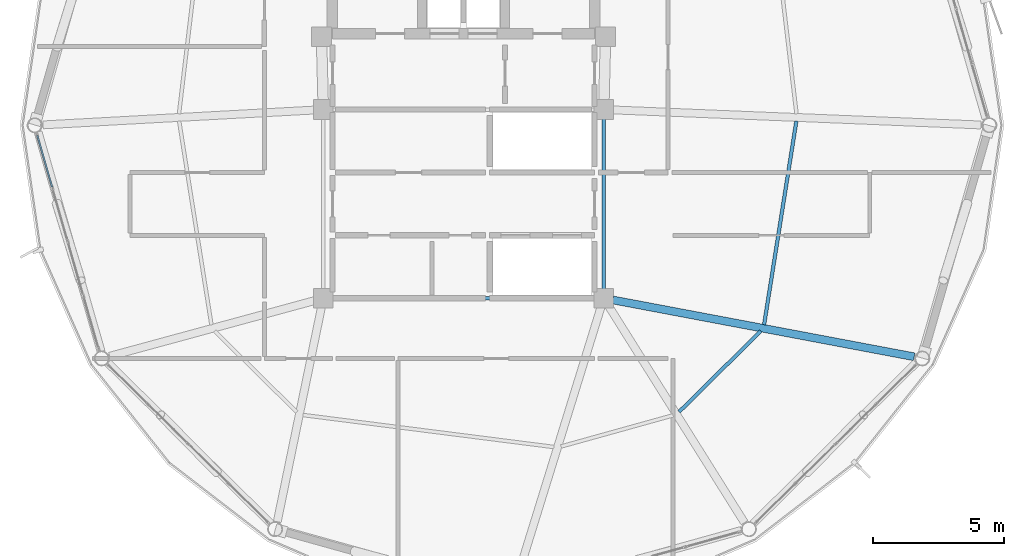
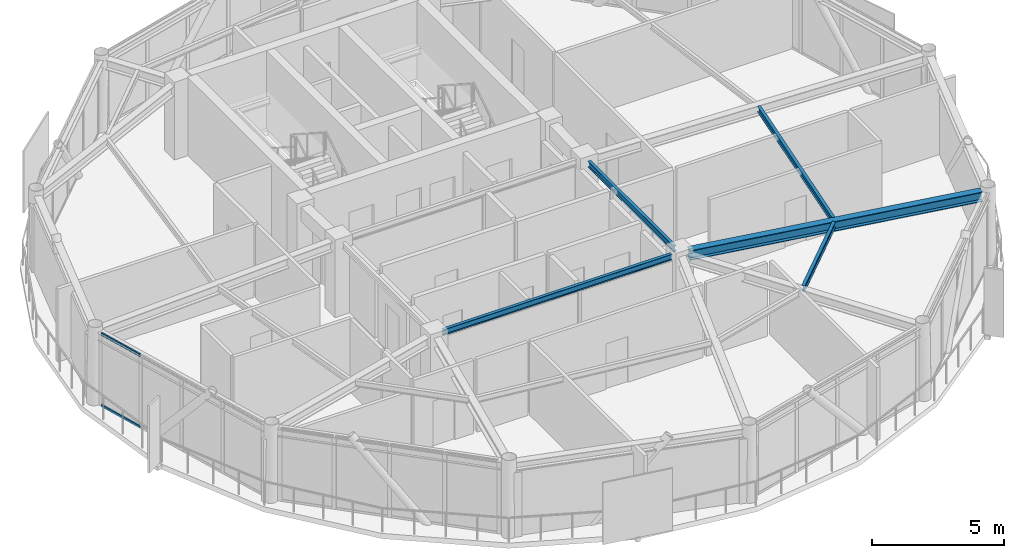
# One storey, part 10 of 27: 5 beams, 2 members, 1 element without a shape of its own.
"""IFC4 building model written with IfcOpenShell, lengths in metres."""

from ifc_helpers import new_model, si_unit, direction, frame, origin, origin_2d, place, context, subcontext, project, spatial, hollow_rectangle, i_section, extrude, material, layer, layer_set, material_profile, profile_set, type_object, element, aggregate, save


model = new_model("IFC4")

# Units and contexts
model_context = context("Model", 3, precision=1e-05, world=origin(), true_north=direction((0.0, 1.0)))
body_context = subcontext(model_context, "Body", "Model", "MODEL_VIEW")
ifc_project = project(units=[si_unit("LENGTHUNIT", "METRE"), si_unit("AREAUNIT", "SQUARE_METRE"), si_unit("VOLUMEUNIT", "CUBIC_METRE"), si_unit("PLANEANGLEUNIT", "RADIAN"), si_unit("MASSUNIT", "GRAM", prefix="KILO")], contexts=[model_context])

# Site, building, storey
site_placement = place(None, origin())
site = spatial("IfcSite", under=ifc_project, at=site_placement, CompositionType="ELEMENT")
building_placement = place(site_placement, origin())
building = spatial("IfcBuilding", under=site, at=building_placement, Name="Varnakorn Sky Granary", CompositionType="ELEMENT")
storey_placement = place(building_placement, frame((0.0, 0.0, 263.39990234375)))
storey = spatial("IfcBuildingStorey", under=building, at=storey_placement, Name="L67", CompositionType="ELEMENT", Elevation=263.39990234375)

# Beams
ifc_material_1 = material(Name="Steel S355JR", Category="steel")
ifc_material_profile_1 = material_profile(ifc_material_1, i_section(OverallWidth=0.300048828125, OverallDepth=0.449951171875, WebThickness=0.013916015625, FlangeThickness=0.02587890625, at=origin_2d()), Name="HE 450 B")
ifc_profile_set_1 = profile_set([ifc_material_profile_1], Name="Steel S355JR")
beam_type_1 = type_object("IfcBeamType", Name="BM-RAD-Z5", PredefinedType="BEAM", material=ifc_profile_set_1)
beam_1_placement = place(storey_placement, frame((8.69873046875, -6.665771484375, 3.135009765625), z_axis=(0.982665598469, -0.18538695096, 0.0), x_axis=(0.18538695096, 0.982665598469, 0.0)))
element("IfcBeam", 1, at=beam_1_placement, inside=storey, type_object=beam_type_1, Name="Radial Floor Girder RG12 L67", PredefinedType="BEAM", context=body_context, shape_type="SweptSolid", body=[
    extrude(i_section(OverallWidth=0.300048828125, OverallDepth=0.449951171875, WebThickness=0.013916015625, FlangeThickness=0.02587890625, at=origin_2d()), origin(), (0.0, 0.0, 1.0), 11.700927734375),
])
ifc_material_profile_2 = material_profile(ifc_material_1, i_section(OverallWidth=0.135009765625, OverallDepth=0.27001953125, WebThickness=0.006591796875, FlangeThickness=0.01025390625, at=origin_2d()), Name="IPE 270")
ifc_profile_set_2 = profile_set([ifc_material_profile_2], Name="Steel S355JR")
beam_type_2 = type_object("IfcBeamType", Name="BM-SEC-Z5", PredefinedType="BEAM", material=ifc_profile_set_2)
beam_2_placement = place(storey_placement, frame((11.228759765625, -10.93359375, 3.22509765625), z_axis=(0.71104693006, 0.703144553597, 0.0), x_axis=(-0.703144553597, 0.71104693006, 0.0)))
element("IfcBeam", 2, at=beam_2_placement, inside=storey, type_object=beam_type_2, Name="Secondary Floor Chord Beam MSB11 L67", PredefinedType="BEAM", context=body_context, shape_type="SweptSolid", body=[
    extrude(i_section(OverallWidth=0.135009765625, OverallDepth=0.27001953125, WebThickness=0.006591796875, FlangeThickness=0.01025390625, at=origin_2d()), origin(), (0.0, 0.0, 1.0), 4.386962890625),
])
beam_3_placement = place(storey_placement, frame((14.4697265625, -7.612060546875, 3.22509765625), z_axis=(0.15652495296, 0.987674004467, 0.0), x_axis=(-0.987674004467, 0.15652495296, 0.0)))
element("IfcBeam", 3, at=beam_3_placement, inside=storey, type_object=beam_type_2, Name="Secondary Floor Chord Beam MSB12 L67", PredefinedType="BEAM", context=body_context, shape_type="SweptSolid", body=[
    extrude(i_section(OverallWidth=0.135009765625, OverallDepth=0.27001953125, WebThickness=0.006591796875, FlangeThickness=0.01025390625, at=origin_2d()), origin(), (0.0, 0.0, 1.0), 7.868896484375),
])
beam_4_placement = place(storey_placement, frame((8.35009765625, 0.2451171875, 3.22509765625), z_axis=(0.0, -1.0, 0.0), x_axis=(1.0, 0.0, 0.0)))
element("IfcBeam", 4, at=beam_4_placement, inside=storey, type_object=beam_type_2, Name="Core Spine Framing Beam 4 L67", PredefinedType="BEAM", context=body_context, shape_type="SweptSolid", body=[
    extrude(i_section(OverallWidth=0.135009765625, OverallDepth=0.27001953125, WebThickness=0.006591796875, FlangeThickness=0.01025390625, at=origin_2d()), origin(), (0.0, 0.0, 1.0), 6.490234375),
])
beam_5_placement = place(storey_placement, frame((-1.9951171875, -6.60009765625, 3.22509765625), z_axis=(1.0, 0.0, 0.0), x_axis=(0.0, 1.0, 0.0)))
element("IfcBeam", 5, at=beam_5_placement, inside=storey, type_object=beam_type_2, Name="Core Spine Framing Beam 6 L67", PredefinedType="BEAM", context=body_context, shape_type="SweptSolid", body=[
    extrude(i_section(OverallWidth=0.135009765625, OverallDepth=0.27001953125, WebThickness=0.006591796875, FlangeThickness=0.01025390625, at=origin_2d()), origin(), (0.0, 0.0, 1.0), 9.990234375),
])

# Curtain wall, members
ifc_material_2 = material(Name="Anodised Bronze Aluminium Alloy 6063-T6", Category="aluminium")
ifc_layer = layer(ifc_material_2, 0.159912109375, Name="Anodised Bronze Aluminium Alloy 6063-T6")
ifc_layer_set = layer_set([ifc_layer], Name="Anodised Bronze Aluminium Alloy 6063-T6")
curtain_wall_type = type_object("IfcCurtainWallType", Name="CW-OFF-1", PredefinedType="USERDEFINED", material=ifc_layer_set)
curtain_wall_placement = place(storey_placement, origin())
curtain_wall = element("IfcCurtainWall", 6, at=curtain_wall_placement, inside=storey, type_object=curtain_wall_type, Name="Unitised Curtain Wall CW6 CW-L67-B07", ObjectType="CURTAIN WALL", PredefinedType="USERDEFINED")
ifc_material_profile_3 = material_profile(ifc_material_2, hollow_rectangle(XDim=0.06494140625, YDim=0.1201171875, WallThickness=0.00341796875, at=origin_2d()), Name="ALU TRAN 65x120")
ifc_profile_set_3 = profile_set([ifc_material_profile_3], Name="Anodised Bronze Aluminium Alloy 6063-T6")
member_type = type_object("IfcMemberType", Name="CW-OFF-1-TRAN", PredefinedType="USERDEFINED", material=ifc_profile_set_3)
member_1_placement = place(storey_placement, frame((-12.696533203125, -2.357177734375, 0.03271484375), z_axis=(-0.2761849375, 0.961104510601, 0.0), x_axis=(-0.961104510601, -0.2761849375, 0.0)))
member_1 = element("IfcMember", 7, at=member_1_placement, type_object=member_type, Name="CW6 transom 4.1", ObjectType="TRANSOM", PredefinedType="USERDEFINED", context=body_context, shape_type="SweptSolid", body=[
    extrude(hollow_rectangle(XDim=0.06494140625, YDim=0.1201171875, WallThickness=0.00341796875, at=origin_2d()), origin(), (0.0, 0.0, 1.0), 2.048095703125),
])
member_2_placement = place(storey_placement, frame((-12.696533203125, -2.357177734375, 3.32763671875), z_axis=(-0.2761849375, 0.961104510601, 0.0), x_axis=(-0.961104510601, -0.2761849375, 0.0)))
member_2 = element("IfcMember", 8, at=member_2_placement, type_object=member_type, Name="CW6 transom 4.2", ObjectType="TRANSOM", PredefinedType="USERDEFINED", context=body_context, shape_type="SweptSolid", body=[
    extrude(hollow_rectangle(XDim=0.06494140625, YDim=0.1201171875, WallThickness=0.00341796875, at=origin_2d()), origin(), (0.0, 0.0, 1.0), 2.048095703125),
])
aggregate(curtain_wall, [member_1, member_2])

save(model, "model.ifc")
